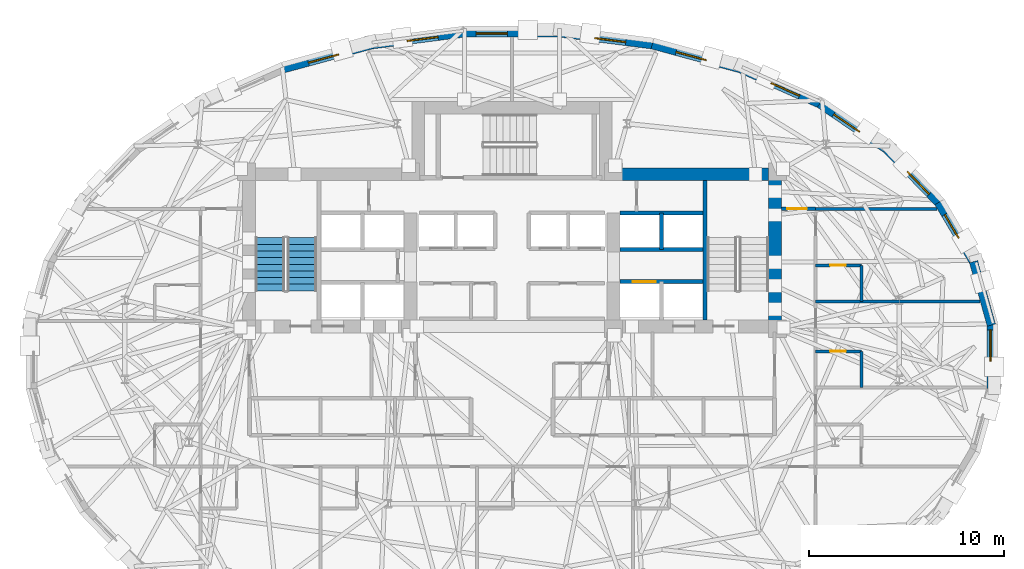
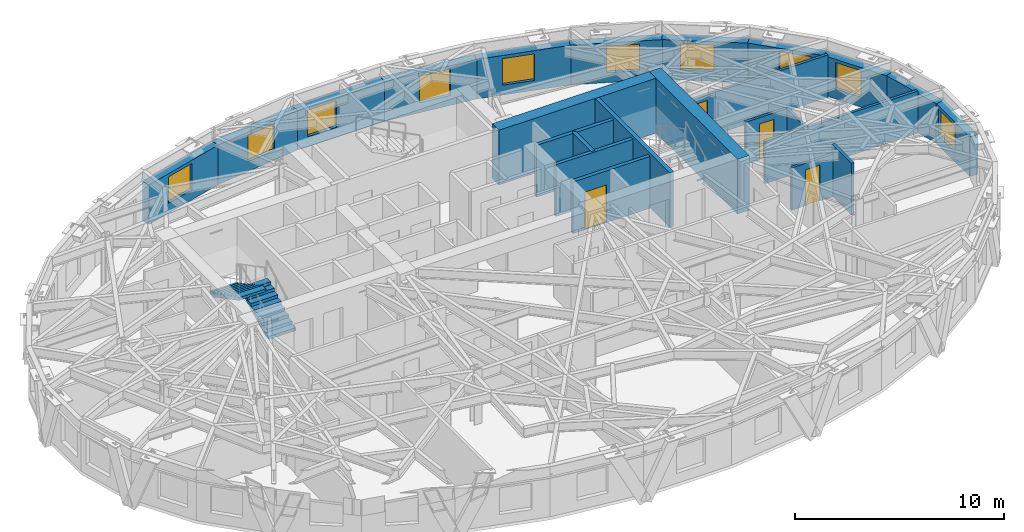
# One storey, part 10 of 15: 25 walls, 10 windows, 4 doors, 2 stair flights, 14 openings, 1 element without a shape of its own.
"""IFC4 building model written with IfcOpenShell, lengths in metres."""

from ifc_helpers import new_model, si_unit, direction, frame, frame_2d, origin, place, context, subcontext, project, spatial, polyline, rectangle, outline, extrude, material, layer, layer_set, type_object, element, fill, aggregate, save


model = new_model("IFC4")

# Units and contexts
model_context = context("Model", 3, precision=1e-05, world=origin(), true_north=direction((0.0, 1.0)))
body_context = subcontext(model_context, "Body", "Model", "MODEL_VIEW")
ifc_project = project(units=[si_unit("LENGTHUNIT", "METRE"), si_unit("AREAUNIT", "SQUARE_METRE"), si_unit("VOLUMEUNIT", "CUBIC_METRE"), si_unit("PLANEANGLEUNIT", "RADIAN"), si_unit("MASSUNIT", "GRAM", prefix="KILO")], contexts=[model_context])

# Site, building, storey
site_placement = place(None, origin())
site = spatial("IfcSite", under=ifc_project, at=site_placement, CompositionType="ELEMENT")
building_placement = place(site_placement, origin())
building = spatial("IfcBuilding", under=site, at=building_placement, Name="Keldmark Tower", CompositionType="ELEMENT")
storey_placement = place(building_placement, frame((0.0, 0.0, 166.199951171875)))
storey = spatial("IfcBuildingStorey", under=building, at=storey_placement, Name="L45", CompositionType="ELEMENT", Elevation=166.199951171875)

# Wall, opening, door
ifc_material_1 = material(Name="Type X Fire-Rated Gypsum Partition Assembly", Category="gypsum")
ifc_layer_1 = layer(ifc_material_1, 0.1650390625)
ifc_layer_set_1 = layer_set([ifc_layer_1], Name="Type X Fire-Rated Gypsum Partition Assembly")
wall_type_1 = type_object("IfcWallType", Name="Rated Partition 165 mm", PredefinedType="PARTITIONING", material=ifc_layer_set_1)
wall_1_placement = place(storey_placement, frame((13.800048828125, 7.550048828125, 0.0), z_axis=(0.0, 0.0, 1.0), x_axis=(1.0, 0.0, 0.0)))
wall_1 = element("IfcWall", 1, at=wall_1_placement, inside=storey, type_object=wall_type_1, Name="L45 Rated Partition 165 mm HCOR-EN", PredefinedType="PARTITIONING", context=body_context, shape_type="SweptSolid", body=[
    extrude(rectangle(XDim=1.75, YDim=0.1650390625, at=frame_2d((0.875, 0.0))), origin(), (0.0, 0.0, 1.0), 2.47314453125),
])
opening_1_placement = place(wall_1_placement, frame((0.300048828125, 0.0, 0.0)))
opening_1 = element("IfcOpeningElement", 2, at=opening_1_placement, cuts=wall_1, Name="Opening D-FD100", PredefinedType="OPENING", context=body_context, shape_type="SweptSolid", body=[
    extrude(rectangle(XDim=1.0, YDim=2.14990234375, at=frame_2d((0.5, 1.074951171875))), frame((0.0, 0.092529296875, 0.0), z_axis=(0.0, -1.0, 0.0), x_axis=(1.0, 0.0, 0.0)), (0.0, 0.0, 1.0), 0.18505859375),
])
ifc_material_2 = material(Name="Hollow Metal Fire-Rated Corridor Door", Category="metal")
door_type_1 = type_object("IfcDoorType", Name="Fire Door 1000x2150", OperationType="NOTDEFINED", PredefinedType="DOOR", material=ifc_material_2)
door_1_placement = place(opening_1_placement, origin())
door_1 = element("IfcDoor", 3, at=door_1_placement, inside=storey, type_object=door_type_1, Name="L45 Fire Door 1000x2150 D-HNNE-L45", OperationType="SINGLE_SWING_RIGHT", OverallHeight=2.14990234375, OverallWidth=1.0, PredefinedType="DOOR", context=body_context, shape_type="SweptSolid", body=[
    extrude(rectangle(XDim=1.0, YDim=2.14990234375, at=frame_2d((0.5, 1.074951171875))), frame((0.0, 0.02490234375, 0.0), z_axis=(0.0, -1.0, 0.0), x_axis=(1.0, 0.0, 0.0)), (0.0, 0.0, 1.0), 0.050048828125),
])
fill(opening_1, door_1)

ifc_material_3 = material(Name="Fire-Resistant Type X Gypsum Shaftliner Coreboard", Category="gypsum")
ifc_layer_2 = layer(ifc_material_3, 0.199951171875)
ifc_layer_set_2 = layer_set([ifc_layer_2], Name="Fire-Resistant Type X Gypsum Shaftliner Coreboard")
wall_type_2 = type_object("IfcWallType", Name="Shaft Wall 200 mm", PredefinedType="SOLIDWALL", material=ifc_layer_set_2)
wall_2_placement = place(storey_placement, frame((5.52490234375, 3.820068359375, 0.0), z_axis=(0.0, 0.0, 1.0), x_axis=(1.0, 0.0, 0.0)))
wall_2 = element("IfcWall", 4, at=wall_2_placement, inside=storey, type_object=wall_type_2, Name="L45 Shaft Wall 200 mm HW-E-S", PredefinedType="SOLIDWALL", context=body_context, shape_type="SweptSolid", body=[
    extrude(rectangle(XDim=4.255126953125, YDim=0.199951171875, at=frame_2d((2.12744140625, 0.0))), origin(), (0.0, 0.0, 1.0), 3.02001953125),
])
opening_2_placement = place(wall_2_placement, frame((0.64990234375, 0.0, 0.0)))
opening_2 = element("IfcOpeningElement", 5, at=opening_2_placement, cuts=wall_2, Name="Opening LD-120", PredefinedType="OPENING", context=body_context, shape_type="SweptSolid", body=[
    extrude(rectangle(XDim=1.199951171875, YDim=2.199951171875, at=frame_2d((0.60009765625, 1.10009765625))), frame((0.0, 0.10986328125, 0.0), z_axis=(0.0, -1.0, 0.0), x_axis=(1.0, 0.0, 0.0)), (0.0, 0.0, 1.0), 0.219970703125),
])
ifc_material_4 = material(Name="Heavy-Duty Brushed Metal Hoistway Sliding Leaf", Category="metal")
door_type_2 = type_object("IfcDoorType", Name="Service Lift Sliding Door 1200x2200", OperationType="SLIDING_TO_RIGHT", PredefinedType="DOOR", material=ifc_material_4)
door_2_placement = place(opening_2_placement, origin())
door_2 = element("IfcDoor", 6, at=door_2_placement, inside=storey, type_object=door_type_2, Name="L45 Service Lift Sliding Door 1200x2200 LD-EL-SV1-L45", OperationType="SLIDING_TO_RIGHT", OverallHeight=2.199951171875, OverallWidth=1.199951171875, PredefinedType="DOOR", context=body_context, shape_type="SweptSolid", body=[
    extrude(rectangle(XDim=1.199951171875, YDim=2.199951171875, at=frame_2d((0.60009765625, 1.10009765625))), frame((0.0, 0.02490234375, 0.0), z_axis=(0.0, -1.0, 0.0), x_axis=(1.0, 0.0, 0.0)), (0.0, 0.0, 1.0), 0.050048828125),
])
fill(opening_2, door_2)

# Walls
for number, where, z_axis, x_axis, name in (
    (7, (5.52490234375, 5.469970703125, 0.0), (0.0, 0.0, 1.0), (1.0, 0.0, 0.0), "L45 Shaft Wall 200 mm HW-E-N"),
    (8, (5.52490234375, 7.330078125, 0.0), (0.0, 0.0, 1.0), (1.0, 0.0, 0.0), "L45 Shaft Wall 200 mm HW-E-TOP"),
):
    element("IfcWall", number, at=place(storey_placement, frame(where, z_axis=z_axis, x_axis=x_axis)), inside=storey, type_object=wall_type_2, Name=name, PredefinedType="SOLIDWALL", context=body_context, shape_type="SweptSolid", body=[
        extrude(rectangle(XDim=4.255126953125, YDim=0.199951171875, at=frame_2d((2.12744140625, 0.0))), origin(), (0.0, 0.0, 1.0), 3.02001953125),
    ])
wall_3_placement = place(storey_placement, frame((7.64990234375, 5.469970703125, 0.0), z_axis=(0.0, 0.0, 1.0), x_axis=(0.0, 1.0, 0.0)))
element("IfcWall", 9, at=wall_3_placement, inside=storey, type_object=wall_type_2, Name="L45 Shaft Wall 200 mm HW-E-NM", PredefinedType="SOLIDWALL", context=body_context, shape_type="SweptSolid", body=[
    extrude(rectangle(XDim=1.860107421875, YDim=0.199951171875, at=frame_2d((0.93017578125, 0.0))), origin(), (0.0, 0.0, 1.0), 3.02001953125),
])
ifc_material_5 = material(Name="Concrete C50/60", Category="concrete")
ifc_layer_3 = layer(ifc_material_5, 0.219970703125)
ifc_layer_set_3 = layer_set([ifc_layer_3], Name="Concrete C50/60")
wall_type_3 = type_object("IfcWallType", Name="Stair Core Shear Wall 220 mm", PredefinedType="SHEAR", material=ifc_layer_set_3)
wall_4_placement = place(storey_placement, frame((9.889892578125, 1.85009765625, 0.0), z_axis=(0.0, 0.0, 1.0), x_axis=(0.0, 1.0, 0.0)))
element("IfcWall", 10, at=wall_4_placement, inside=storey, type_object=wall_type_3, Name="L45 East Stair Core Shear Wall", PredefinedType="SHEAR", context=body_context, shape_type="SweptSolid", body=[
    extrude(rectangle(XDim=7.14990234375, YDim=0.219970703125, at=frame_2d((3.574951171875, 0.0))), origin(), (0.0, 0.0, 1.0), 3.199951171875),
])
ifc_material_6 = material(Name="Ironspot Manganese Brick and Kasota Buff Limestone Spandrel Assembly", Category="masonry")
ifc_layer_4 = layer(ifc_material_6, 0.43994140625)
ifc_layer_set_4 = layer_set([ifc_layer_4], Name="Ironspot Manganese Brick and Kasota Buff Limestone Spandrel Assembly")
wall_type_4 = type_object("IfcWallType", Name="Tower Brick Pier and Spandrel Wall 440 mm", PredefinedType="STANDARD", material=ifc_layer_set_4)
wall_5_placement = place(storey_placement, frame((23.64501953125, 4.846435546875, 0.0), z_axis=(0.0, 0.0, 1.0), x_axis=(0.269235699479, -0.963074315993, 0.0)))
element("IfcWall", 11, at=wall_5_placement, inside=storey, type_object=wall_type_4, Name="L45 Exterior Brick and Spandrel Wall 01", PredefinedType="STANDARD", context=body_context, shape_type="SweptSolid", body=[
    extrude(rectangle(XDim=3.376953125, YDim=0.43994140625, at=frame_2d((1.6884765625, 0.0))), origin(), (0.0, 0.0, 1.0), 2.31494140625),
])

# Wall, opening, window
wall_6_placement = place(storey_placement, frame((21.847412109375, 7.87255859375, 0.0), z_axis=(0.0, 0.0, 1.0), x_axis=(0.508883387051, -0.860835465338, 0.0)))
wall_6 = element("IfcWall", 12, at=wall_6_placement, inside=storey, type_object=wall_type_4, Name="L45 Exterior Brick and Spandrel Wall 02", PredefinedType="STANDARD", context=body_context, shape_type="SweptSolid", body=[
    extrude(rectangle(XDim=3.57666015625, YDim=0.43994140625, at=frame_2d((1.788330078125, 0.0))), origin(), (0.0, 0.0, 1.0), 2.31494140625),
])
opening_3_placement = place(wall_6_placement, frame((0.693603515625, 0.0, 0.580078125)))
opening_3 = element("IfcOpeningElement", 13, at=opening_3_placement, cuts=wall_6, Name="Opening W-08", PredefinedType="OPENING", context=body_context, shape_type="SweptSolid", body=[
    extrude(rectangle(XDim=1.39990234375, YDim=1.550048828125, at=frame_2d((0.699951171875, 0.77490234375))), frame((0.0, 0.22998046875, 0.0), z_axis=(0.0, -1.0, 0.0), x_axis=(1.0, 0.0, 0.0)), (0.0, 0.0, 1.0), 0.4599609375),
])
ifc_material_7 = material(Name="Thermally Broken Anodized Aluminum and Triple Low-E Argon Glazing", Category="aluminium")
window_type_1 = type_object("IfcWindowType", Name="Residential Corner Punched Window 1400x1550", PartitioningType="SINGLE_PANEL", PredefinedType="WINDOW", material=ifc_material_7)
window_1_placement = place(opening_3_placement, origin())
window_1 = element("IfcWindow", 14, at=window_1_placement, inside=storey, type_object=window_type_1, Name="L45 Deep-Set Window 02", OverallHeight=1.550048828125, OverallWidth=1.39990234375, PartitioningType="SINGLE_PANEL", PredefinedType="WINDOW", context=body_context, shape_type="SweptSolid", body=[
    extrude(rectangle(XDim=1.39990234375, YDim=1.550048828125, at=frame_2d((0.699951171875, 0.77490234375))), frame((0.0, -0.010009765625, 0.0), z_axis=(0.0, -1.0, 0.0), x_axis=(1.0, 0.0, 0.0)), (0.0, 0.0, 1.0), 0.06005859375),
])
fill(opening_3, window_1)

wall_7_placement = place(storey_placement, frame((19.191650390625, 10.61181640625, 0.0), z_axis=(0.0, 0.0, 1.0), x_axis=(0.694975307772, -0.719033602544, 0.0)))
wall_7 = element("IfcWall", 15, at=wall_7_placement, inside=storey, type_object=wall_type_4, Name="L45 Exterior Brick and Spandrel Wall 03", PredefinedType="STANDARD", context=body_context, shape_type="SweptSolid", body=[
    extrude(rectangle(XDim=3.866455078125, YDim=0.43994140625, at=frame_2d((1.93310546875, 0.0))), origin(), (0.0, 0.0, 1.0), 2.31494140625),
])
opening_4_placement = place(wall_7_placement, frame((1.5751953125, 0.0, 0.580078125)))
opening_4 = element("IfcOpeningElement", 16, at=opening_4_placement, cuts=wall_7, Name="Opening W-04", PredefinedType="OPENING", context=body_context, shape_type="SweptSolid", body=[
    extrude(rectangle(XDim=1.60009765625, YDim=1.550048828125, at=frame_2d((0.800048828125, 0.77490234375))), frame((0.0, 0.22998046875, 0.0), z_axis=(0.0, -1.0, 0.0), x_axis=(1.0, 0.0, 0.0)), (0.0, 0.0, 1.0), 0.4599609375),
])
ifc_material_8 = material(Name="Thermally Broken Anodized Aluminum and Triple Low-E Argon Glazing", Category="aluminium")
window_type_2 = type_object("IfcWindowType", Name="Hotel Deep-Set Operable Window 1600x1550", PartitioningType="DOUBLE_PANEL_HORIZONTAL", PredefinedType="WINDOW", material=ifc_material_8)
window_2_placement = place(opening_4_placement, origin())
window_2 = element("IfcWindow", 17, at=window_2_placement, inside=storey, type_object=window_type_2, Name="L45 Deep-Set Window 03", OverallHeight=1.550048828125, OverallWidth=1.60009765625, PartitioningType="SINGLE_PANEL", PredefinedType="WINDOW", context=body_context, shape_type="SweptSolid", body=[
    extrude(rectangle(XDim=1.60009765625, YDim=1.550048828125, at=frame_2d((0.800048828125, 0.77490234375))), frame((0.0, -0.010009765625, 0.0), z_axis=(0.0, -1.0, 0.0), x_axis=(1.0, 0.0, 0.0)), (0.0, 0.0, 1.0), 0.06005859375),
])
fill(opening_4, window_2)

wall_8_placement = place(storey_placement, frame((15.756591796875, 12.9345703125, 0.0), z_axis=(0.0, 0.0, 1.0), x_axis=(0.827760762475, -0.561081206338, 0.0)))
wall_8 = element("IfcWall", 18, at=wall_8_placement, inside=storey, type_object=wall_type_4, Name="L45 Exterior Brick and Spandrel Wall 04", PredefinedType="STANDARD", context=body_context, shape_type="SweptSolid", body=[
    extrude(rectangle(XDim=4.19189453125, YDim=0.43994140625, at=frame_2d((2.095947265625, 0.0))), origin(), (0.0, 0.0, 1.0), 2.31494140625),
])
opening_5_placement = place(wall_8_placement, frame((0.8974609375, 0.0, 0.580078125)))
opening_5 = element("IfcOpeningElement", 19, at=opening_5_placement, cuts=wall_8, Name="Opening W-04", PredefinedType="OPENING", context=body_context, shape_type="SweptSolid", body=[
    extrude(rectangle(XDim=1.60009765625, YDim=1.550048828125, at=frame_2d((0.800048828125, 0.77490234375))), frame((0.0, 0.22998046875, 0.0), z_axis=(0.0, -1.0, 0.0), x_axis=(1.0, 0.0, 0.0)), (0.0, 0.0, 1.0), 0.4599609375),
])
window_3_placement = place(opening_5_placement, origin())
window_3 = element("IfcWindow", 20, at=window_3_placement, inside=storey, type_object=window_type_2, Name="L45 Deep-Set Window 04", OverallHeight=1.550048828125, OverallWidth=1.60009765625, PartitioningType="SINGLE_PANEL", PredefinedType="WINDOW", context=body_context, shape_type="SweptSolid", body=[
    extrude(rectangle(XDim=1.60009765625, YDim=1.550048828125, at=frame_2d((0.800048828125, 0.77490234375))), frame((0.0, -0.010009765625, 0.0), z_axis=(0.0, -1.0, 0.0), x_axis=(1.0, 0.0, 0.0)), (0.0, 0.0, 1.0), 0.06005859375),
])
fill(opening_5, window_3)

wall_9_placement = place(storey_placement, frame((11.689697265625, 14.737060546875, 0.0), z_axis=(0.0, 0.0, 1.0), x_axis=(0.913907994914, -0.405921392431, 0.0)))
wall_9 = element("IfcWall", 21, at=wall_9_placement, inside=storey, type_object=wall_type_4, Name="L45 Exterior Brick and Spandrel Wall 05", PredefinedType="STANDARD", context=body_context, shape_type="SweptSolid", body=[
    extrude(rectangle(XDim=4.4873046875, YDim=0.43994140625, at=frame_2d((2.24365234375, 0.0))), origin(), (0.0, 0.0, 1.0), 2.31494140625),
])
opening_6_placement = place(wall_9_placement, frame((1.7421875, 0.0, 0.580078125)))
opening_6 = element("IfcOpeningElement", 22, at=opening_6_placement, cuts=wall_9, Name="Opening W-04", PredefinedType="OPENING", context=body_context, shape_type="SweptSolid", body=[
    extrude(rectangle(XDim=1.60009765625, YDim=1.550048828125, at=frame_2d((0.800048828125, 0.77490234375))), frame((0.0, 0.22998046875, 0.0), z_axis=(0.0, -1.0, 0.0), x_axis=(1.0, 0.0, 0.0)), (0.0, 0.0, 1.0), 0.4599609375),
])
window_4_placement = place(opening_6_placement, origin())
window_4 = element("IfcWindow", 23, at=window_4_placement, inside=storey, type_object=window_type_2, Name="L45 Deep-Set Window 05", OverallHeight=1.550048828125, OverallWidth=1.60009765625, PartitioningType="SINGLE_PANEL", PredefinedType="WINDOW", context=body_context, shape_type="SweptSolid", body=[
    extrude(rectangle(XDim=1.60009765625, YDim=1.550048828125, at=frame_2d((0.800048828125, 0.77490234375))), frame((0.0, -0.010009765625, 0.0), z_axis=(0.0, -1.0, 0.0), x_axis=(1.0, 0.0, 0.0)), (0.0, 0.0, 1.0), 0.06005859375),
])
fill(opening_6, window_4)

wall_10_placement = place(storey_placement, frame((7.17919921875, 15.95947265625, 0.0), z_axis=(0.0, 0.0, 1.0), x_axis=(0.965037424263, -0.262112132058, 0.0)))
wall_10 = element("IfcWall", 24, at=wall_10_placement, inside=storey, type_object=wall_type_4, Name="L45 Exterior Brick and Spandrel Wall 06", PredefinedType="STANDARD", context=body_context, shape_type="SweptSolid", body=[
    extrude(rectangle(XDim=4.70654296875, YDim=0.43994140625, at=frame_2d((2.353271484375, 0.0))), origin(), (0.0, 0.0, 1.0), 2.31494140625),
])
opening_7_placement = place(wall_10_placement, frame((1.28271484375, 0.0, 0.580078125)))
opening_7 = element("IfcOpeningElement", 25, at=opening_7_placement, cuts=wall_10, Name="Opening W-04", PredefinedType="OPENING", context=body_context, shape_type="SweptSolid", body=[
    extrude(rectangle(XDim=1.60009765625, YDim=1.550048828125, at=frame_2d((0.800048828125, 0.77490234375))), frame((0.0, 0.22998046875, 0.0), z_axis=(0.0, -1.0, 0.0), x_axis=(1.0, 0.0, 0.0)), (0.0, 0.0, 1.0), 0.4599609375),
])
window_5_placement = place(opening_7_placement, origin())
window_5 = element("IfcWindow", 26, at=window_5_placement, inside=storey, type_object=window_type_2, Name="L45 Deep-Set Window 06", OverallHeight=1.550048828125, OverallWidth=1.60009765625, PartitioningType="SINGLE_PANEL", PredefinedType="WINDOW", context=body_context, shape_type="SweptSolid", body=[
    extrude(rectangle(XDim=1.60009765625, YDim=1.550048828125, at=frame_2d((0.800048828125, 0.77490234375))), frame((0.0, -0.010009765625, 0.0), z_axis=(0.0, -1.0, 0.0), x_axis=(1.0, 0.0, 0.0)), (0.0, 0.0, 1.0), 0.06005859375),
])
fill(opening_7, window_5)

wall_11_placement = place(storey_placement, frame((2.4111328125, 16.56982421875, 0.0), z_axis=(0.0, 0.0, 1.0), x_axis=(0.991852910824, -0.127388395426, 0.0)))
wall_11 = element("IfcWall", 27, at=wall_11_placement, inside=storey, type_object=wall_type_4, Name="L45 Exterior Brick and Spandrel Wall 07", PredefinedType="STANDARD", context=body_context, shape_type="SweptSolid", body=[
    extrude(rectangle(XDim=4.837158203125, YDim=0.43994140625, at=frame_2d((2.41845703125, 0.0))), origin(), (0.0, 0.0, 1.0), 2.31494140625),
])
opening_8_placement = place(wall_11_placement, frame((1.842529296875, 0.0, 0.580078125)))
opening_8 = element("IfcOpeningElement", 28, at=opening_8_placement, cuts=wall_11, Name="Opening W-04", PredefinedType="OPENING", context=body_context, shape_type="SweptSolid", body=[
    extrude(rectangle(XDim=1.60009765625, YDim=1.550048828125, at=frame_2d((0.800048828125, 0.77490234375))), frame((0.0, 0.22998046875, 0.0), z_axis=(0.0, -1.0, 0.0), x_axis=(1.0, 0.0, 0.0)), (0.0, 0.0, 1.0), 0.4599609375),
])
window_6_placement = place(opening_8_placement, origin())
window_6 = element("IfcWindow", 29, at=window_6_placement, inside=storey, type_object=window_type_2, Name="L45 Deep-Set Window 07", OverallHeight=1.550048828125, OverallWidth=1.60009765625, PartitioningType="SINGLE_PANEL", PredefinedType="WINDOW", context=body_context, shape_type="SweptSolid", body=[
    extrude(rectangle(XDim=1.60009765625, YDim=1.550048828125, at=frame_2d((0.800048828125, 0.77490234375))), frame((0.0, -0.010009765625, 0.0), z_axis=(0.0, -1.0, 0.0), x_axis=(1.0, 0.0, 0.0)), (0.0, 0.0, 1.0), 0.06005859375),
])
fill(opening_8, window_6)

wall_12_placement = place(storey_placement, frame((-2.439208984375, 16.568115234375, 0.0), z_axis=(0.0, 0.0, 1.0), x_axis=(1.0, 0.0, 0.0)))
wall_12 = element("IfcWall", 30, at=wall_12_placement, inside=storey, type_object=wall_type_4, Name="L45 Exterior Brick and Spandrel Wall 08", PredefinedType="STANDARD", context=body_context, shape_type="SweptSolid", body=[
    extrude(rectangle(XDim=4.87841796875, YDim=0.43994140625, at=frame_2d((2.439208984375, 0.0))), origin(), (0.0, 0.0, 1.0), 2.31494140625),
])
opening_9_placement = place(wall_12_placement, frame((0.596923828125, 0.0, 0.580078125)))
opening_9 = element("IfcOpeningElement", 31, at=opening_9_placement, cuts=wall_12, Name="Opening W-04", PredefinedType="OPENING", context=body_context, shape_type="SweptSolid", body=[
    extrude(rectangle(XDim=1.60009765625, YDim=1.550048828125, at=frame_2d((0.800048828125, 0.77490234375))), frame((0.0, 0.22998046875, 0.0), z_axis=(0.0, -1.0, 0.0), x_axis=(1.0, 0.0, 0.0)), (0.0, 0.0, 1.0), 0.4599609375),
])
window_7_placement = place(opening_9_placement, origin())
window_7 = element("IfcWindow", 32, at=window_7_placement, inside=storey, type_object=window_type_2, Name="L45 Deep-Set Window 08", OverallHeight=1.550048828125, OverallWidth=1.60009765625, PartitioningType="SINGLE_PANEL", PredefinedType="WINDOW", context=body_context, shape_type="SweptSolid", body=[
    extrude(rectangle(XDim=1.60009765625, YDim=1.550048828125, at=frame_2d((0.800048828125, 0.77490234375))), frame((0.0, -0.010009765625, 0.0), z_axis=(0.0, -1.0, 0.0), x_axis=(1.0, 0.0, 0.0)), (0.0, 0.0, 1.0), 0.06005859375),
])
fill(opening_9, window_7)

wall_13_placement = place(storey_placement, frame((-7.208984375, 15.95361328125, 0.0), z_axis=(0.0, 0.0, 1.0), x_axis=(0.991852910824, 0.127388395426, 0.0)))
wall_13 = element("IfcWall", 33, at=wall_13_placement, inside=storey, type_object=wall_type_4, Name="L45 Exterior Brick and Spandrel Wall 09", PredefinedType="STANDARD", context=body_context, shape_type="SweptSolid", body=[
    extrude(rectangle(XDim=4.837158203125, YDim=0.43994140625, at=frame_2d((2.41845703125, 0.0))), origin(), (0.0, 0.0, 1.0), 2.31494140625),
])
opening_10_placement = place(wall_13_placement, frame((1.842529296875, 0.0, 0.580078125)))
opening_10 = element("IfcOpeningElement", 34, at=opening_10_placement, cuts=wall_13, Name="Opening W-04", PredefinedType="OPENING", context=body_context, shape_type="SweptSolid", body=[
    extrude(rectangle(XDim=1.60009765625, YDim=1.550048828125, at=frame_2d((0.800048828125, 0.77490234375))), frame((0.0, 0.22998046875, 0.0), z_axis=(0.0, -1.0, 0.0), x_axis=(1.0, 0.0, 0.0)), (0.0, 0.0, 1.0), 0.4599609375),
])
window_8_placement = place(opening_10_placement, origin())
window_8 = element("IfcWindow", 35, at=window_8_placement, inside=storey, type_object=window_type_2, Name="L45 Deep-Set Window 09", OverallHeight=1.550048828125, OverallWidth=1.60009765625, PartitioningType="SINGLE_PANEL", PredefinedType="WINDOW", context=body_context, shape_type="SweptSolid", body=[
    extrude(rectangle(XDim=1.60009765625, YDim=1.550048828125, at=frame_2d((0.800048828125, 0.77490234375))), frame((0.0, -0.010009765625, 0.0), z_axis=(0.0, -1.0, 0.0), x_axis=(1.0, 0.0, 0.0)), (0.0, 0.0, 1.0), 0.06005859375),
])
fill(opening_10, window_8)

wall_14_placement = place(storey_placement, frame((-11.72119140625, 14.725830078125, 0.0), z_axis=(0.0, 0.0, 1.0), x_axis=(0.965037424263, 0.262112132058, 0.0)))
wall_14 = element("IfcWall", 36, at=wall_14_placement, inside=storey, type_object=wall_type_4, Name="L45 Exterior Brick and Spandrel Wall 10", PredefinedType="STANDARD", context=body_context, shape_type="SweptSolid", body=[
    extrude(rectangle(XDim=4.70654296875, YDim=0.43994140625, at=frame_2d((2.353271484375, 0.0))), origin(), (0.0, 0.0, 1.0), 2.31494140625),
])
opening_11_placement = place(wall_14_placement, frame((1.331787109375, 0.0, 0.580078125)))
opening_11 = element("IfcOpeningElement", 37, at=opening_11_placement, cuts=wall_14, Name="Opening W-04", PredefinedType="OPENING", context=body_context, shape_type="SweptSolid", body=[
    extrude(rectangle(XDim=1.60009765625, YDim=1.550048828125, at=frame_2d((0.800048828125, 0.77490234375))), frame((0.0, 0.22998046875, 0.0), z_axis=(0.0, -1.0, 0.0), x_axis=(1.0, 0.0, 0.0)), (0.0, 0.0, 1.0), 0.4599609375),
])
window_9_placement = place(opening_11_placement, origin())
window_9 = element("IfcWindow", 38, at=window_9_placement, inside=storey, type_object=window_type_2, Name="L45 Deep-Set Window 10", OverallHeight=1.550048828125, OverallWidth=1.60009765625, PartitioningType="SINGLE_PANEL", PredefinedType="WINDOW", context=body_context, shape_type="SweptSolid", body=[
    extrude(rectangle(XDim=1.60009765625, YDim=1.550048828125, at=frame_2d((0.800048828125, 0.77490234375))), frame((0.0, -0.010009765625, 0.0), z_axis=(0.0, -1.0, 0.0), x_axis=(1.0, 0.0, 0.0)), (0.0, 0.0, 1.0), 0.06005859375),
])
fill(opening_11, window_9)

wall_15_placement = place(storey_placement, frame((24.5458984375, 1.653564453125, 0.0), z_axis=(0.0, 0.0, 1.0), x_axis=(0.0, -1.0, 0.0)))
wall_15 = element("IfcWall", 39, at=wall_15_placement, inside=storey, type_object=wall_type_4, Name="L45 Exterior Brick and Spandrel Wall 32", PredefinedType="STANDARD", context=body_context, shape_type="SweptSolid", body=[
    extrude(rectangle(XDim=3.30712890625, YDim=0.43994140625, at=frame_2d((1.653564453125, 0.0))), origin(), (0.0, 0.0, 1.0), 2.31494140625),
])
opening_12_placement = place(wall_15_placement, frame((0.296875, 0.0, 0.580078125)))
opening_12 = element("IfcOpeningElement", 40, at=opening_12_placement, cuts=wall_15, Name="Opening W-04", PredefinedType="OPENING", context=body_context, shape_type="SweptSolid", body=[
    extrude(rectangle(XDim=1.60009765625, YDim=1.550048828125, at=frame_2d((0.800048828125, 0.77490234375))), frame((0.0, 0.22998046875, 0.0), z_axis=(0.0, -1.0, 0.0), x_axis=(1.0, 0.0, 0.0)), (0.0, 0.0, 1.0), 0.4599609375),
])
window_10_placement = place(opening_12_placement, origin())
window_10 = element("IfcWindow", 41, at=window_10_placement, inside=storey, type_object=window_type_2, Name="L45 Deep-Set Window 32", OverallHeight=1.550048828125, OverallWidth=1.60009765625, PartitioningType="SINGLE_PANEL", PredefinedType="WINDOW", context=body_context, shape_type="SweptSolid", body=[
    extrude(rectangle(XDim=1.60009765625, YDim=1.550048828125, at=frame_2d((0.800048828125, 0.77490234375))), frame((0.0, -0.010009765625, 0.0), z_axis=(0.0, -1.0, 0.0), x_axis=(1.0, 0.0, 0.0)), (0.0, 0.0, 1.0), 0.06005859375),
])
fill(opening_12, window_10)

# Walls
ifc_material_9 = material(Name="Concrete C50/60", Category="concrete")
ifc_layer_5 = layer(ifc_material_9, 0.64990234375)
ifc_layer_set_5 = layer_set([ifc_layer_5], Name="Concrete C50/60")
wall_type_5 = type_object("IfcWallType", Name="Upper-Mid Core Shear Wall 650 mm", PredefinedType="SHEAR", material=ifc_layer_set_5)
wall_16_placement = place(storey_placement, frame((13.47509765625, 1.199951171875, 0.0), z_axis=(0.0, 0.0, 1.0), x_axis=(0.0, 1.0, 0.0)))
element("IfcWall", 42, at=wall_16_placement, inside=storey, type_object=wall_type_5, Name="L45 East Core Outer Shear Wall", PredefinedType="SHEAR", context=body_context, shape_type="SweptSolid", body=[
    extrude(rectangle(XDim=8.449951171875, YDim=0.64990234375, at=frame_2d((4.22509765625, 0.0))), origin(), (0.0, 0.0, 1.0), 3.199951171875),
])
wall_17_placement = place(storey_placement, frame((4.47509765625, 9.324951171875, 0.0), z_axis=(0.0, 0.0, 1.0), x_axis=(1.0, 0.0, 0.0)))
element("IfcWall", 43, at=wall_17_placement, inside=storey, type_object=wall_type_5, Name="L45 East Core North Shear Wall", PredefinedType="SHEAR", context=body_context, shape_type="SweptSolid", body=[
    extrude(rectangle(XDim=9.324951171875, YDim=0.64990234375, at=frame_2d((4.66259765625, 0.0))), origin(), (0.0, 0.0, 1.0), 3.199951171875),
])
ifc_material_10 = material(Name="Moisture-Resistant Gypsum Plumbing Partition", Category="gypsum")
ifc_layer_6 = layer(ifc_material_10, 0.14990234375)
ifc_layer_set_6 = layer_set([ifc_layer_6], Name="Moisture-Resistant Gypsum Plumbing Partition")
wall_type_6 = type_object("IfcWallType", Name="Wet Wall 150 mm", PredefinedType="PLUMBINGWALL", material=ifc_layer_set_6)
wall_18_placement = place(storey_placement, frame((15.550048828125, 7.550048828125, 0.0), z_axis=(0.0, 0.0, 1.0), x_axis=(1.0, 0.0, 0.0)))
element("IfcWall", 44, at=wall_18_placement, inside=storey, type_object=wall_type_6, Name="L45 Wet Wall 150 mm HE-CAP-N", PredefinedType="PLUMBINGWALL", context=body_context, shape_type="SweptSolid", body=[
    extrude(rectangle(XDim=6.22314453125, YDim=0.14990234375, at=frame_2d((3.111572265625, 0.0))), origin(), (0.0, 0.0, 1.0), 2.47314453125),
])
wall_19_placement = place(storey_placement, frame((15.550048828125, 2.800048828125, 0.0), z_axis=(0.0, 0.0, 1.0), x_axis=(1.0, 0.0, 0.0)))
element("IfcWall", 45, at=wall_19_placement, inside=storey, type_object=wall_type_6, Name="L45 Wet Wall 150 mm HE-DIV-2", PredefinedType="PLUMBINGWALL", context=body_context, shape_type="SweptSolid", body=[
    extrude(rectangle(XDim=8.43017578125, YDim=0.14990234375, at=frame_2d((4.215087890625, 0.0))), origin(), (0.0, 0.0, 1.0), 2.47314453125),
])

# Wall, opening, door
wall_20_placement = place(storey_placement, frame((15.550048828125, 0.25, 0.0), z_axis=(0.0, 0.0, 1.0), x_axis=(1.0, 0.0, 0.0)))
wall_20 = element("IfcWall", 46, at=wall_20_placement, inside=storey, type_object=wall_type_6, Name="L45 Wet Wall 150 mm HB-8-N", PredefinedType="PLUMBINGWALL", context=body_context, shape_type="SweptSolid", body=[
    extrude(rectangle(XDim=2.349853515625, YDim=0.14990234375, at=frame_2d((1.1748046875, 0.0))), origin(), (0.0, 0.0, 1.0), 2.47314453125),
])
opening_13_placement = place(wall_20_placement, frame((0.75, 0.0, 0.0)))
opening_13 = element("IfcOpeningElement", 47, at=opening_13_placement, cuts=wall_20, Name="Opening D-BT080", PredefinedType="OPENING", context=body_context, shape_type="SweptSolid", body=[
    extrude(rectangle(XDim=0.800048828125, YDim=2.10009765625, at=frame_2d((0.39990234375, 1.050048828125))), frame((0.0, 0.0849609375, 0.0), z_axis=(0.0, -1.0, 0.0), x_axis=(1.0, 0.0, 0.0)), (0.0, 0.0, 1.0), 0.169921875),
])
ifc_material_11 = material(Name="Moisture-Sealed Stained Wood", Category="wood")
door_type_3 = type_object("IfcDoorType", Name="Bathroom Door 800x2100", OperationType="NOTDEFINED", PredefinedType="DOOR", material=ifc_material_11)
door_3_placement = place(opening_13_placement, origin())
door_3 = element("IfcDoor", 48, at=door_3_placement, inside=storey, type_object=door_type_3, Name="L45 Bathroom Door 800x2100 D-HB-8-L45", OperationType="SINGLE_SWING_LEFT", OverallHeight=2.10009765625, OverallWidth=0.800048828125, PredefinedType="DOOR", context=body_context, shape_type="SweptSolid", body=[
    extrude(rectangle(XDim=0.800048828125, YDim=2.10009765625, at=frame_2d((0.39990234375, 1.050048828125))), frame((0.0, 0.02490234375, 0.0), z_axis=(0.0, -1.0, 0.0), x_axis=(1.0, 0.0, 0.0)), (0.0, 0.0, 1.0), 0.050048828125),
])
fill(opening_13, door_3)

# Wall
wall_21_placement = place(storey_placement, frame((17.89990234375, -1.60009765625, 0.0), z_axis=(0.0, 0.0, 1.0), x_axis=(0.0, 1.0, 0.0)))
element("IfcWall", 49, at=wall_21_placement, inside=storey, type_object=wall_type_6, Name="L45 Wet Wall 150 mm HB-8-IN", PredefinedType="PLUMBINGWALL", context=body_context, shape_type="SweptSolid", body=[
    extrude(rectangle(XDim=1.85009765625, YDim=0.14990234375, at=frame_2d((0.925048828125, 0.0))), origin(), (0.0, 0.0, 1.0), 3.02001953125),
])

# Wall, opening, door
wall_22_placement = place(storey_placement, frame((15.550048828125, 4.64990234375, 0.0), z_axis=(0.0, 0.0, 1.0), x_axis=(1.0, 0.0, 0.0)))
wall_22 = element("IfcWall", 50, at=wall_22_placement, inside=storey, type_object=wall_type_6, Name="L45 Wet Wall 150 mm HB-9-N", PredefinedType="PLUMBINGWALL", context=body_context, shape_type="SweptSolid", body=[
    extrude(rectangle(XDim=2.349853515625, YDim=0.14990234375, at=frame_2d((1.1748046875, 0.0))), origin(), (0.0, 0.0, 1.0), 2.47314453125),
])
opening_14_placement = place(wall_22_placement, frame((0.75, 0.0, 0.0)))
opening_14 = element("IfcOpeningElement", 51, at=opening_14_placement, cuts=wall_22, Name="Opening D-BT080", PredefinedType="OPENING", context=body_context, shape_type="SweptSolid", body=[
    extrude(rectangle(XDim=0.800048828125, YDim=2.10009765625, at=frame_2d((0.39990234375, 1.050048828125))), frame((0.0, 0.0849609375, 0.0), z_axis=(0.0, -1.0, 0.0), x_axis=(1.0, 0.0, 0.0)), (0.0, 0.0, 1.0), 0.169921875),
])
door_4_placement = place(opening_14_placement, origin())
door_4 = element("IfcDoor", 52, at=door_4_placement, inside=storey, type_object=door_type_3, Name="L45 Bathroom Door 800x2100 D-HB-9-L45", OperationType="SINGLE_SWING_RIGHT", OverallHeight=2.10009765625, OverallWidth=0.800048828125, PredefinedType="DOOR", context=body_context, shape_type="SweptSolid", body=[
    extrude(rectangle(XDim=0.800048828125, YDim=2.10009765625, at=frame_2d((0.39990234375, 1.050048828125))), frame((0.0, 0.02490234375, 0.0), z_axis=(0.0, -1.0, 0.0), x_axis=(1.0, 0.0, 0.0)), (0.0, 0.0, 1.0), 0.050048828125),
])
fill(opening_14, door_4)

# Wall
wall_23_placement = place(storey_placement, frame((17.89990234375, 2.800048828125, 0.0), z_axis=(0.0, 0.0, 1.0), x_axis=(0.0, 1.0, 0.0)))
element("IfcWall", 53, at=wall_23_placement, inside=storey, type_object=wall_type_6, Name="L45 Wet Wall 150 mm HB-9-IN", PredefinedType="PLUMBINGWALL", context=body_context, shape_type="SweptSolid", body=[
    extrude(rectangle(XDim=1.849853515625, YDim=0.14990234375, at=frame_2d((0.9248046875, 0.0))), origin(), (0.0, 0.0, 1.0), 2.47314453125),
])

# Stair, stair flights
ifc_material_12 = material(Name="Concrete C40/50", Category="concrete")
stair_type = type_object("IfcStairType", Name="Precast Concrete Core Exit Stair", PredefinedType="HALF_TURN_STAIR", material=ifc_material_12)
stair_placement = place(storey_placement, origin())
stair = element("IfcStair", 54, at=stair_placement, inside=storey, type_object=stair_type, Name="L45 Exit Stair ST1", PredefinedType="HALF_TURN_STAIR")
ifc_material_13 = material(Name="Concrete C40/50", Category="concrete")
stair_flight_type = type_object("IfcStairFlightType", Name="Precast Concrete Stair Flight 1500 mm", PredefinedType="STRAIGHT", material=ifc_material_13)
stair_flight_1_placement = place(storey_placement, frame((-10.75, 3.35009765625, 0.0), z_axis=(0.0, 0.0, 1.0), x_axis=(0.0, 1.0, 0.0)))
stair_flight_1 = element("IfcStairFlight", 55, at=stair_flight_1_placement, type_object=stair_flight_type, Name="ST1 flight 1", NumberOfRisers=9, NumberOfTreads=8, PredefinedType="STRAIGHT", RiserHeight=0.177777778, TreadLength=0.34, context=body_context, shape_type="SweptSolid", body=[
    extrude(outline(polyline([(0.0, 0.0), (0.0, 0.177734375), (0.340087890625, 0.177734375), (0.340087890625, 0.35546875), (0.679931640625, 0.35546875), (0.679931640625, 0.533447265625), (1.02001953125, 0.533447265625), (1.02001953125, 0.711181640625), (1.360107421875, 0.711181640625), (1.360107421875, 0.888916015625), (1.699951171875, 0.888916015625), (1.699951171875, 1.066650390625), (2.0400390625, 1.066650390625), (2.0400390625, 1.244384765625), (2.3798828125, 1.244384765625), (2.3798828125, 1.422119140625), (2.719970703125, 1.422119140625), (2.719970703125, 1.60009765625), (2.719970703125, 1.253173828125), (0.323486328125, 0.0), (0.0, 0.0)])), frame((0.0, 0.75, 0.0), z_axis=(0.0, -1.0, 0.0), x_axis=(1.0, 0.0, 0.0)), (0.0, 0.0, 1.0), 1.5),
])
stair_flight_2_placement = place(storey_placement, frame((-12.39990234375, 6.070068359375, 1.60009765625), z_axis=(0.0, 0.0, 1.0), x_axis=(0.0, -1.0, 0.0)))
stair_flight_2 = element("IfcStairFlight", 56, at=stair_flight_2_placement, type_object=stair_flight_type, Name="ST1 flight 2", NumberOfRisers=9, NumberOfTreads=8, PredefinedType="STRAIGHT", RiserHeight=0.177777778, TreadLength=0.34, context=body_context, shape_type="SweptSolid", body=[
    extrude(outline(polyline([(0.0, 0.0), (0.0, 0.177734375), (0.340087890625, 0.177734375), (0.340087890625, 0.35546875), (0.679931640625, 0.35546875), (0.679931640625, 0.533447265625), (1.02001953125, 0.533447265625), (1.02001953125, 0.711181640625), (1.360107421875, 0.711181640625), (1.360107421875, 0.888916015625), (1.699951171875, 0.888916015625), (1.699951171875, 1.066650390625), (2.0400390625, 1.066650390625), (2.0400390625, 1.244384765625), (2.3798828125, 1.244384765625), (2.3798828125, 1.422119140625), (2.719970703125, 1.422119140625), (2.719970703125, 1.60009765625), (2.719970703125, 1.253173828125), (0.323486328125, 0.0), (0.0, 0.0)])), frame((0.0, 0.75, 0.0), z_axis=(0.0, -1.0, 0.0), x_axis=(1.0, 0.0, 0.0)), (0.0, 0.0, 1.0), 1.5),
])
aggregate(stair, [stair_flight_1, stair_flight_2])

save(model, "model.ifc")
